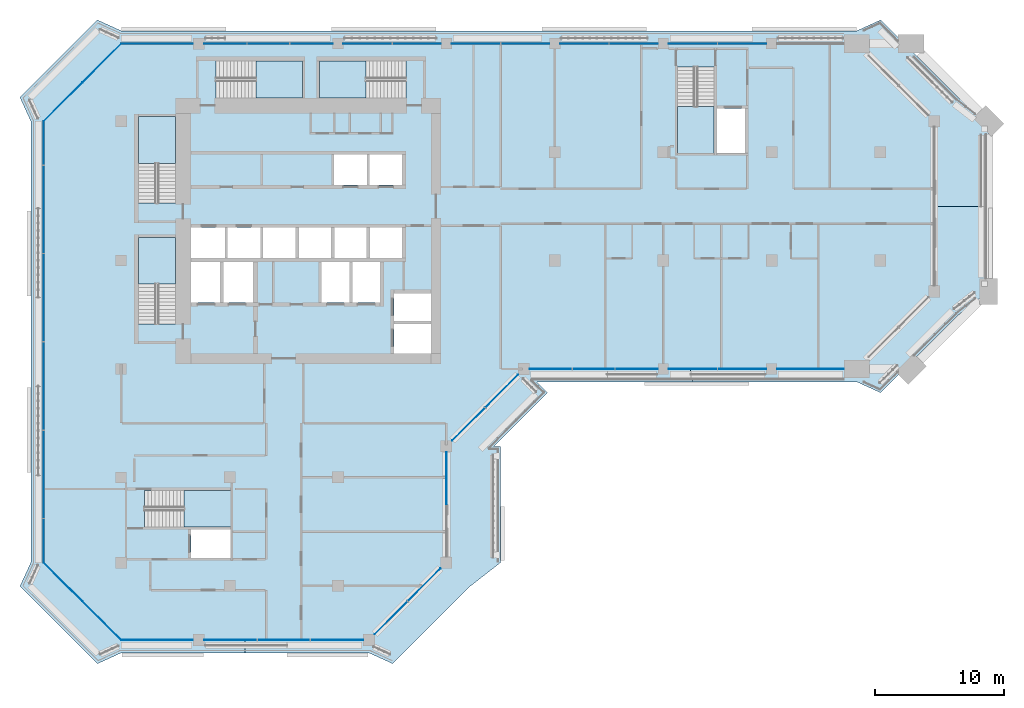
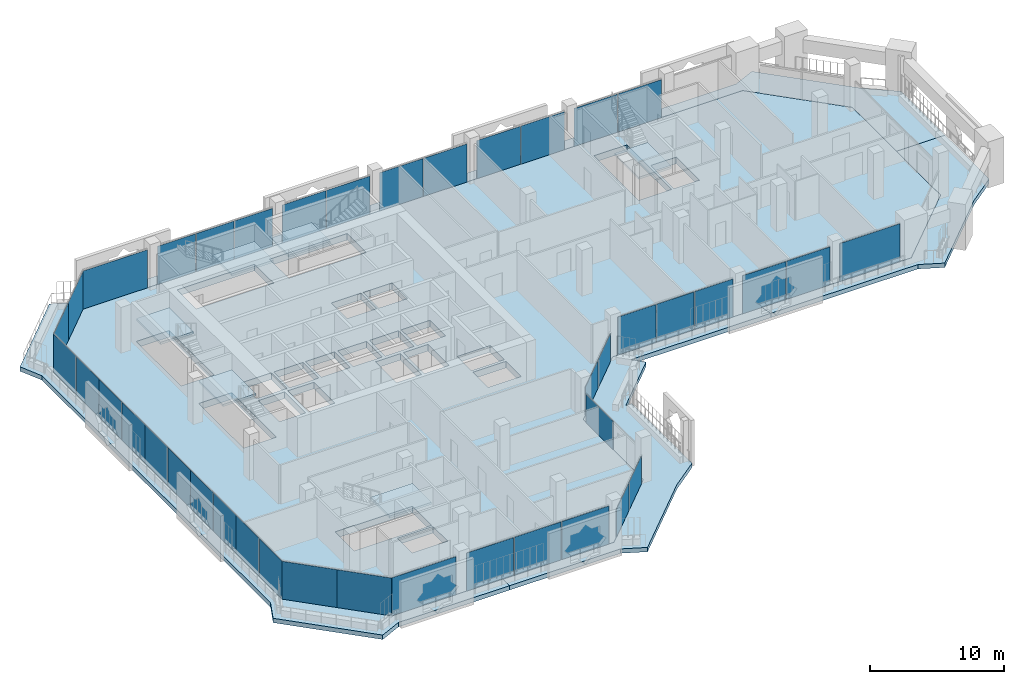
# One storey, part 8 of 21: 41 plates, 10 slabs, 15 elements without a shape of their own.
"""IFC4 building model written with IfcOpenShell, lengths in metres."""

from ifc_helpers import new_model, si_unit, direction, frame, origin, origin_2d, place, context, subcontext, project, spatial, polyline, rectangle, outline, extrude, material, layer, layer_set, type_object, element, aggregate, save


model = new_model("IFC4")

# Units and contexts
model_context = context("Model", 3, precision=1e-05, world=origin(), true_north=direction((0.0, 1.0)))
body_context = subcontext(model_context, "Body", "Model", "MODEL_VIEW")
ifc_project = project(units=[si_unit("LENGTHUNIT", "METRE"), si_unit("AREAUNIT", "SQUARE_METRE"), si_unit("VOLUMEUNIT", "CUBIC_METRE"), si_unit("PLANEANGLEUNIT", "RADIAN"), si_unit("MASSUNIT", "GRAM", prefix="KILO")], contexts=[model_context])

# Site, building, storey
site_placement = place(None, origin())
site = spatial("IfcSite", under=ifc_project, at=site_placement, CompositionType="ELEMENT")
building_placement = place(site_placement, origin())
building = spatial("IfcBuilding", under=site, at=building_placement, Name="Kawkab Arch Medical Tower", CompositionType="ELEMENT")
storey_placement = place(building_placement, frame((0.0, 0.0, 234.800048828125)))
storey = spatial("IfcBuildingStorey", under=building, at=storey_placement, Name="L54", CompositionType="ELEMENT", Elevation=234.800048828125)

# Curtain wall, plates
ifc_material_1 = material(Name="Bronze anodised aluminium curtain wall frame", Category="aluminium")
ifc_layer_1 = layer(ifc_material_1, 0.159912109375)
ifc_layer_set_1 = layer_set([ifc_layer_1], Name="Bronze anodised aluminium curtain wall frame")
curtain_wall_type_1 = type_object("IfcCurtainWallType", Name="CW1 ward curtain wall", PredefinedType="NOTDEFINED", material=ifc_layer_set_1)
placement_1 = place(storey_placement, origin())
curtain_wall_1 = element("IfcCurtainWall", 1, at=placement_1, inside=storey, type_object=curtain_wall_type_1, Name="CW1 Ward curtain wall R01", PredefinedType="NOTDEFINED")
ifc_material_2 = material(Name="Tinted insulating glass, bronze low-e coating", Category="glass")
ifc_layer_2 = layer(ifc_material_2, 0.031982421875)
ifc_layer_set_2 = layer_set([ifc_layer_2], Name="Tinted insulating glass, bronze low-e coating")
plate_type_1 = type_object("IfcPlateType", Name="CW1 glazing unit 32", PredefinedType="CURTAIN_PANEL", material=ifc_layer_set_2)
plate_1_placement = place(storey_placement, frame((-6.0, -7.695068359375, 0.0), z_axis=(0.0, 0.0, 1.0), x_axis=(0.0, -1.0, 0.0)))
plate_1 = element("IfcPlate", 2, at=plate_1_placement, type_object=plate_type_1, Name="CW1 glazing unit 1.1", PredefinedType="CURTAIN_PANEL", context=body_context, shape_type="SweptSolid", body=[
    extrude(rectangle(XDim=3.389892578125, YDim=0.031982421875, at=origin_2d()), origin(), (0.0, 0.0, 1.0), 3.47998046875),
])
plate_2_placement = place(storey_placement, frame((-6.0, -11.14501953125, 0.0), z_axis=(0.0, 0.0, 1.0), x_axis=(0.0, -1.0, 0.0)))
plate_2 = element("IfcPlate", 3, at=plate_2_placement, type_object=plate_type_1, Name="CW1 glazing unit 1.2", PredefinedType="CURTAIN_PANEL", context=body_context, shape_type="SweptSolid", body=[
    extrude(rectangle(XDim=3.389892578125, YDim=0.031982421875, at=origin_2d()), origin(), (0.0, 0.0, 1.0), 3.47998046875),
])
plate_3_placement = place(storey_placement, frame((-6.0, -14.534912109375, 0.0), z_axis=(0.0, 0.0, 1.0), x_axis=(0.0, -1.0, 0.0)))
plate_3 = element("IfcPlate", 4, at=plate_3_placement, type_object=plate_type_1, Name="CW1 glazing unit 2.1", PredefinedType="CURTAIN_PANEL", context=body_context, shape_type="SweptSolid", body=[
    extrude(rectangle(XDim=3.389892578125, YDim=0.031982421875, at=origin_2d()), origin(), (0.0, 0.0, 1.0), 3.47998046875),
])
plate_4_placement = place(storey_placement, frame((-6.0, -17.985107421875, 0.0), z_axis=(0.0, 0.0, 1.0), x_axis=(0.0, -1.0, 0.0)))
plate_4 = element("IfcPlate", 5, at=plate_4_placement, type_object=plate_type_1, Name="CW1 glazing unit 2.2", PredefinedType="CURTAIN_PANEL", context=body_context, shape_type="SweptSolid", body=[
    extrude(rectangle(XDim=3.389892578125, YDim=0.031982421875, at=origin_2d()), origin(), (0.0, 0.0, 1.0), 3.47998046875),
])
plate_5_placement = place(storey_placement, frame((-6.0, -21.375, 0.0), z_axis=(0.0, 0.0, 1.0), x_axis=(0.0, -1.0, 0.0)))
plate_5 = element("IfcPlate", 6, at=plate_5_placement, type_object=plate_type_1, Name="CW1 glazing unit 3.1", PredefinedType="CURTAIN_PANEL", context=body_context, shape_type="SweptSolid", body=[
    extrude(rectangle(XDim=3.389892578125, YDim=0.031982421875, at=origin_2d()), origin(), (0.0, 0.0, 1.0), 3.47998046875),
])
plate_6_placement = place(storey_placement, frame((-6.0, -24.824951171875, 0.0), z_axis=(0.0, 0.0, 1.0), x_axis=(0.0, -1.0, 0.0)))
plate_6 = element("IfcPlate", 7, at=plate_6_placement, type_object=plate_type_1, Name="CW1 glazing unit 3.2", PredefinedType="CURTAIN_PANEL", context=body_context, shape_type="SweptSolid", body=[
    extrude(rectangle(XDim=3.389892578125, YDim=0.031982421875, at=origin_2d()), origin(), (0.0, 0.0, 1.0), 3.47998046875),
])
plate_7_placement = place(storey_placement, frame((-6.0, -28.215087890625, 0.0), z_axis=(0.0, 0.0, 1.0), x_axis=(0.0, -1.0, 0.0)))
plate_7 = element("IfcPlate", 8, at=plate_7_placement, type_object=plate_type_1, Name="CW1 glazing unit 4.1", PredefinedType="CURTAIN_PANEL", context=body_context, shape_type="SweptSolid", body=[
    extrude(rectangle(XDim=3.389892578125, YDim=0.031982421875, at=origin_2d()), origin(), (0.0, 0.0, 1.0), 3.47998046875),
])
plate_8_placement = place(storey_placement, frame((-6.0, -31.6650390625, 0.0), z_axis=(0.0, 0.0, 1.0), x_axis=(0.0, -1.0, 0.0)))
plate_8 = element("IfcPlate", 9, at=plate_8_placement, type_object=plate_type_1, Name="CW1 glazing unit 4.2", PredefinedType="CURTAIN_PANEL", context=body_context, shape_type="SweptSolid", body=[
    extrude(rectangle(XDim=3.389892578125, YDim=0.031982421875, at=origin_2d()), origin(), (0.0, 0.0, 1.0), 3.47998046875),
])
plate_9_placement = place(storey_placement, frame((-6.0, -35.054931640625, 0.0), z_axis=(0.0, 0.0, 1.0), x_axis=(0.0, -1.0, 0.0)))
plate_9 = element("IfcPlate", 10, at=plate_9_placement, type_object=plate_type_1, Name="CW1 glazing unit 5.1", PredefinedType="CURTAIN_PANEL", context=body_context, shape_type="SweptSolid", body=[
    extrude(rectangle(XDim=3.389892578125, YDim=0.031982421875, at=origin_2d()), origin(), (0.0, 0.0, 1.0), 3.47998046875),
])
plate_10_placement = place(storey_placement, frame((-6.0, -38.5048828125, 0.0), z_axis=(0.0, 0.0, 1.0), x_axis=(0.0, -1.0, 0.0)))
plate_10 = element("IfcPlate", 11, at=plate_10_placement, type_object=plate_type_1, Name="CW1 glazing unit 5.2", PredefinedType="CURTAIN_PANEL", context=body_context, shape_type="SweptSolid", body=[
    extrude(rectangle(XDim=3.389892578125, YDim=0.031982421875, at=origin_2d()), origin(), (0.0, 0.0, 1.0), 3.47998046875),
])
aggregate(curtain_wall_1, [plate_1, plate_2, plate_3, plate_4, plate_5, plate_6, plate_7, plate_8, plate_9, plate_10])

curtain_wall_2 = element("IfcCurtainWall", 12, at=placement_1, inside=storey, type_object=curtain_wall_type_1, Name="CW1 Ward curtain wall R03", PredefinedType="NOTDEFINED")
plate_11_placement = place(storey_placement, frame((2.77490234375, -46.199951171875, 0.0), z_axis=(0.0, 0.0, 1.0), x_axis=(1.0, 0.0, 0.0)))
plate_11 = element("IfcPlate", 13, at=plate_11_placement, type_object=plate_type_1, Name="CW1 glazing unit 1.1", PredefinedType="CURTAIN_PANEL", context=body_context, shape_type="SweptSolid", body=[
    extrude(rectangle(XDim=5.550048828125, YDim=0.031982421875, at=origin_2d()), origin(), (0.0, 0.0, 1.0), 3.47998046875),
])
plate_12_placement = place(storey_placement, frame((8.485107421875, -46.199951171875, 0.0), z_axis=(0.0, 0.0, 1.0), x_axis=(1.0, 0.0, 0.0)))
plate_12 = element("IfcPlate", 14, at=plate_12_placement, type_object=plate_type_1, Name="CW1 glazing unit 2.1", PredefinedType="CURTAIN_PANEL", context=body_context, shape_type="SweptSolid", body=[
    extrude(rectangle(XDim=4.070068359375, YDim=0.031982421875, at=origin_2d()), origin(), (0.0, 0.0, 1.0), 3.47998046875),
])
plate_13_placement = place(storey_placement, frame((12.60009765625, -46.199951171875, 0.0), z_axis=(0.0, 0.0, 1.0), x_axis=(1.0, 0.0, 0.0)))
plate_13 = element("IfcPlate", 15, at=plate_13_placement, type_object=plate_type_1, Name="CW1 glazing unit 2.2", PredefinedType="CURTAIN_PANEL", context=body_context, shape_type="SweptSolid", body=[
    extrude(rectangle(XDim=4.0400390625, YDim=0.031982421875, at=origin_2d()), origin(), (0.0, 0.0, 1.0), 3.47998046875),
])
plate_14_placement = place(storey_placement, frame((16.715087890625, -46.199951171875, 0.0), z_axis=(0.0, 0.0, 1.0), x_axis=(1.0, 0.0, 0.0)))
plate_14 = element("IfcPlate", 16, at=plate_14_placement, type_object=plate_type_1, Name="CW1 glazing unit 2.3", PredefinedType="CURTAIN_PANEL", context=body_context, shape_type="SweptSolid", body=[
    extrude(rectangle(XDim=4.070068359375, YDim=0.031982421875, at=origin_2d()), origin(), (0.0, 0.0, 1.0), 3.47998046875),
])
aggregate(curtain_wall_2, [plate_11, plate_12, plate_13, plate_14])

# Curtain wall, plate
curtain_wall_3 = element("IfcCurtainWall", 17, at=placement_1, inside=storey, type_object=curtain_wall_type_1, Name="CW1 Ward curtain wall R05", PredefinedType="NOTDEFINED")
plate_15_placement = place(storey_placement, frame((25.199951171875, -33.675048828125, 0.0), z_axis=(0.0, 0.0, 1.0), x_axis=(0.0, 1.0, 0.0)))
plate_15 = element("IfcPlate", 18, at=plate_15_placement, type_object=plate_type_1, Name="CW1 glazing unit 1.2", PredefinedType="CURTAIN_PANEL", context=body_context, shape_type="SweptSolid", body=[
    extrude(rectangle(XDim=4.050048828125, YDim=0.031982421875, at=origin_2d()), origin(), (0.0, 0.0, 1.0), 2.580078125),
])
aggregate(curtain_wall_3, [plate_15])

# Curtain wall, plates
curtain_wall_4 = element("IfcCurtainWall", 19, at=placement_1, inside=storey, type_object=curtain_wall_type_1, Name="CW1 Ward curtain wall R07", PredefinedType="NOTDEFINED")
plate_16_placement = place(storey_placement, frame((33.2890625, -25.199951171875, 0.0), z_axis=(0.0, 0.0, 1.0), x_axis=(1.0, 0.0, 0.0)))
plate_16 = element("IfcPlate", 20, at=plate_16_placement, type_object=plate_type_1, Name="CW1 glazing unit 1.1", PredefinedType="CURTAIN_PANEL", context=body_context, shape_type="SweptSolid", body=[
    extrude(rectangle(XDim=3.2783203125, YDim=0.031982421875, at=origin_2d()), origin(), (0.0, 0.0, 1.0), 3.47998046875),
])
plate_17_placement = place(storey_placement, frame((36.612548828125, -25.199951171875, 0.0), z_axis=(0.0, 0.0, 1.0), x_axis=(1.0, 0.0, 0.0)))
plate_17 = element("IfcPlate", 21, at=plate_17_placement, type_object=plate_type_1, Name="CW1 glazing unit 1.2", PredefinedType="CURTAIN_PANEL", context=body_context, shape_type="SweptSolid", body=[
    extrude(rectangle(XDim=3.248291015625, YDim=0.031982421875, at=origin_2d()), origin(), (0.0, 0.0, 1.0), 3.47998046875),
])
plate_18_placement = place(storey_placement, frame((39.935791015625, -25.199951171875, 0.0), z_axis=(0.0, 0.0, 1.0), x_axis=(1.0, 0.0, 0.0)))
plate_18 = element("IfcPlate", 22, at=plate_18_placement, type_object=plate_type_1, Name="CW1 glazing unit 1.3", PredefinedType="CURTAIN_PANEL", context=body_context, shape_type="SweptSolid", body=[
    extrude(rectangle(XDim=3.2783203125, YDim=0.031982421875, at=origin_2d()), origin(), (0.0, 0.0, 1.0), 3.47998046875),
])
plate_19_placement = place(storey_placement, frame((44.297607421875, -25.199951171875, 0.0), z_axis=(0.0, 0.0, 1.0), x_axis=(1.0, 0.0, 0.0)))
plate_19 = element("IfcPlate", 23, at=plate_19_placement, type_object=plate_type_1, Name="CW1 glazing unit 2.1", PredefinedType="CURTAIN_PANEL", context=body_context, shape_type="SweptSolid", body=[
    extrude(rectangle(XDim=3.7451171875, YDim=0.031982421875, at=origin_2d()), origin(), (0.0, 0.0, 1.0), 3.47998046875),
])
plate_20_placement = place(storey_placement, frame((48.1025390625, -25.199951171875, 0.0), z_axis=(0.0, 0.0, 1.0), x_axis=(1.0, 0.0, 0.0)))
plate_20 = element("IfcPlate", 24, at=plate_20_placement, type_object=plate_type_1, Name="CW1 glazing unit 2.2", PredefinedType="CURTAIN_PANEL", context=body_context, shape_type="SweptSolid", body=[
    extrude(rectangle(XDim=3.7451171875, YDim=0.031982421875, at=origin_2d()), origin(), (0.0, 0.0, 1.0), 3.47998046875),
])
plate_21_placement = place(storey_placement, frame((53.41259765625, -25.199951171875, 0.0), z_axis=(0.0, 0.0, 1.0), x_axis=(1.0, 0.0, 0.0)))
plate_21 = element("IfcPlate", 25, at=plate_21_placement, type_object=plate_type_1, Name="CW1 glazing unit 3.1", PredefinedType="CURTAIN_PANEL", context=body_context, shape_type="SweptSolid", body=[
    extrude(rectangle(XDim=5.175048828125, YDim=0.031982421875, at=origin_2d()), origin(), (0.0, 0.0, 1.0), 3.47998046875),
])
aggregate(curtain_wall_4, [plate_16, plate_17, plate_18, plate_19, plate_20, plate_21])

curtain_wall_5 = element("IfcCurtainWall", 26, at=placement_1, inside=storey, type_object=curtain_wall_type_1, Name="CW1 Ward curtain wall R11", PredefinedType="NOTDEFINED")
plate_22_placement = place(storey_placement, frame((48.1025390625, 0.0, 0.0), z_axis=(0.0, 0.0, 1.0), x_axis=(-1.0, 0.0, 0.0)))
plate_22 = element("IfcPlate", 27, at=plate_22_placement, type_object=plate_type_1, Name="CW1 glazing unit 2.1", PredefinedType="CURTAIN_PANEL", context=body_context, shape_type="SweptSolid", body=[
    extrude(rectangle(XDim=3.7451171875, YDim=0.031982421875, at=origin_2d()), origin(), (0.0, 0.0, 1.0), 3.47998046875),
])
plate_23_placement = place(storey_placement, frame((44.297607421875, 0.0, 0.0), z_axis=(0.0, 0.0, 1.0), x_axis=(-1.0, 0.0, 0.0)))
plate_23 = element("IfcPlate", 28, at=plate_23_placement, type_object=plate_type_1, Name="CW1 glazing unit 2.2", PredefinedType="CURTAIN_PANEL", context=body_context, shape_type="SweptSolid", body=[
    extrude(rectangle(XDim=3.7451171875, YDim=0.031982421875, at=origin_2d()), origin(), (0.0, 0.0, 1.0), 3.47998046875),
])
plate_24_placement = place(storey_placement, frame((39.702392578125, 0.0, 0.0), z_axis=(0.0, 0.0, 1.0), x_axis=(-1.0, 0.0, 0.0)))
plate_24 = element("IfcPlate", 29, at=plate_24_placement, type_object=plate_type_1, Name="CW1 glazing unit 3.1", PredefinedType="CURTAIN_PANEL", context=body_context, shape_type="SweptSolid", body=[
    extrude(rectangle(XDim=3.7451171875, YDim=0.031982421875, at=origin_2d()), origin(), (0.0, 0.0, 1.0), 3.47998046875),
])
plate_25_placement = place(storey_placement, frame((35.8974609375, 0.0, 0.0), z_axis=(0.0, 0.0, 1.0), x_axis=(-1.0, 0.0, 0.0)))
plate_25 = element("IfcPlate", 30, at=plate_25_placement, type_object=plate_type_1, Name="CW1 glazing unit 3.2", PredefinedType="CURTAIN_PANEL", context=body_context, shape_type="SweptSolid", body=[
    extrude(rectangle(XDim=3.7451171875, YDim=0.031982421875, at=origin_2d()), origin(), (0.0, 0.0, 1.0), 3.47998046875),
])
plate_26_placement = place(storey_placement, frame((31.302490234375, 0.0, 0.0), z_axis=(0.0, 0.0, 1.0), x_axis=(-1.0, 0.0, 0.0)))
plate_26 = element("IfcPlate", 31, at=plate_26_placement, type_object=plate_type_1, Name="CW1 glazing unit 4.1", PredefinedType="CURTAIN_PANEL", context=body_context, shape_type="SweptSolid", body=[
    extrude(rectangle(XDim=3.7451171875, YDim=0.031982421875, at=origin_2d()), origin(), (0.0, 0.0, 1.0), 3.47998046875),
])
plate_27_placement = place(storey_placement, frame((27.49755859375, 0.0, 0.0), z_axis=(0.0, 0.0, 1.0), x_axis=(-1.0, 0.0, 0.0)))
plate_27 = element("IfcPlate", 32, at=plate_27_placement, type_object=plate_type_1, Name="CW1 glazing unit 4.2", PredefinedType="CURTAIN_PANEL", context=body_context, shape_type="SweptSolid", body=[
    extrude(rectangle(XDim=3.7451171875, YDim=0.031982421875, at=origin_2d()), origin(), (0.0, 0.0, 1.0), 3.47998046875),
])
plate_28_placement = place(storey_placement, frame((22.902587890625, 0.0, 0.0), z_axis=(0.0, 0.0, 1.0), x_axis=(-1.0, 0.0, 0.0)))
plate_28 = element("IfcPlate", 33, at=plate_28_placement, type_object=plate_type_1, Name="CW1 glazing unit 5.1", PredefinedType="CURTAIN_PANEL", context=body_context, shape_type="SweptSolid", body=[
    extrude(rectangle(XDim=3.7451171875, YDim=0.031982421875, at=origin_2d()), origin(), (0.0, 0.0, 1.0), 3.47998046875),
])
plate_29_placement = place(storey_placement, frame((19.097412109375, 0.0, 0.0), z_axis=(0.0, 0.0, 1.0), x_axis=(-1.0, 0.0, 0.0)))
plate_29 = element("IfcPlate", 34, at=plate_29_placement, type_object=plate_type_1, Name="CW1 glazing unit 5.2", PredefinedType="CURTAIN_PANEL", context=body_context, shape_type="SweptSolid", body=[
    extrude(rectangle(XDim=3.7451171875, YDim=0.031982421875, at=origin_2d()), origin(), (0.0, 0.0, 1.0), 3.47998046875),
])
plate_30_placement = place(storey_placement, frame((14.73583984375, 0.0, 0.0), z_axis=(0.0, 0.0, 1.0), x_axis=(-1.0, 0.0, 0.0)))
plate_30 = element("IfcPlate", 35, at=plate_30_placement, type_object=plate_type_1, Name="CW1 glazing unit 6.1", PredefinedType="CURTAIN_PANEL", context=body_context, shape_type="SweptSolid", body=[
    extrude(rectangle(XDim=3.2783203125, YDim=0.031982421875, at=origin_2d()), origin(), (0.0, 0.0, 1.0), 3.47998046875),
])
plate_31_placement = place(storey_placement, frame((11.41259765625, 0.0, 0.0), z_axis=(0.0, 0.0, 1.0), x_axis=(-1.0, 0.0, 0.0)))
plate_31 = element("IfcPlate", 36, at=plate_31_placement, type_object=plate_type_1, Name="CW1 glazing unit 6.2", PredefinedType="CURTAIN_PANEL", context=body_context, shape_type="SweptSolid", body=[
    extrude(rectangle(XDim=3.248291015625, YDim=0.031982421875, at=origin_2d()), origin(), (0.0, 0.0, 1.0), 3.47998046875),
])
plate_32_placement = place(storey_placement, frame((8.089111328125, 0.0, 0.0), z_axis=(0.0, 0.0, 1.0), x_axis=(-1.0, 0.0, 0.0)))
plate_32 = element("IfcPlate", 37, at=plate_32_placement, type_object=plate_type_1, Name="CW1 glazing unit 6.3", PredefinedType="CURTAIN_PANEL", context=body_context, shape_type="SweptSolid", body=[
    extrude(rectangle(XDim=3.2783203125, YDim=0.031982421875, at=origin_2d()), origin(), (0.0, 0.0, 1.0), 3.47998046875),
])
plate_33_placement = place(storey_placement, frame((2.77490234375, 0.0, 0.0), z_axis=(0.0, 0.0, 1.0), x_axis=(-1.0, 0.0, 0.0)))
plate_33 = element("IfcPlate", 38, at=plate_33_placement, type_object=plate_type_1, Name="CW1 glazing unit 7.1", PredefinedType="CURTAIN_PANEL", context=body_context, shape_type="SweptSolid", body=[
    extrude(rectangle(XDim=5.550048828125, YDim=0.031982421875, at=origin_2d()), origin(), (0.0, 0.0, 1.0), 3.47998046875),
])
aggregate(curtain_wall_5, [plate_22, plate_23, plate_24, plate_25, plate_26, plate_27, plate_28, plate_29, plate_30, plate_31, plate_32, plate_33])

ifc_material_3 = material(Name="Bronze anodised aluminium curtain wall frame", Category="aluminium")
ifc_layer_3 = layer(ifc_material_3, 0.159912109375)
ifc_layer_set_3 = layer_set([ifc_layer_3], Name="Bronze anodised aluminium curtain wall frame")
curtain_wall_type_2 = type_object("IfcCurtainWallType", Name="CW2 chamfer curtain wall", PredefinedType="NOTDEFINED", material=ifc_layer_set_3)
curtain_wall_6 = element("IfcCurtainWall", 39, at=placement_1, inside=storey, type_object=curtain_wall_type_2, Name="CW2 Chamfer curtain wall R02", PredefinedType="NOTDEFINED")
ifc_material_4 = material(Name="Tinted insulating glass, bronze low-e coating", Category="glass")
ifc_layer_4 = layer(ifc_material_4, 0.031982421875)
ifc_layer_set_4 = layer_set([ifc_layer_4], Name="Tinted insulating glass, bronze low-e coating")
plate_type_2 = type_object("IfcPlateType", Name="CW2 glazing unit 32", PredefinedType="CURTAIN_PANEL", material=ifc_layer_set_4)
plate_34_placement = place(storey_placement, frame((-4.5, -41.699951171875, 0.0), z_axis=(0.0, 0.0, 1.0), x_axis=(0.707106781187, -0.707106781187, 0.0)))
plate_34 = element("IfcPlate", 40, at=plate_34_placement, type_object=plate_type_2, Name="CW2 glazing unit 1.1", PredefinedType="CURTAIN_PANEL", context=body_context, shape_type="SweptSolid", body=[
    extrude(rectangle(XDim=4.24267578125, YDim=0.031982421875, at=origin_2d()), origin(), (0.0, 0.0, 1.0), 3.4599609375),
])
plate_35_placement = place(storey_placement, frame((-1.5, -44.699951171875, 0.0), z_axis=(0.0, 0.0, 1.0), x_axis=(0.707106781187, -0.707106781187, 0.0)))
plate_35 = element("IfcPlate", 41, at=plate_35_placement, type_object=plate_type_2, Name="CW2 glazing unit 2.1", PredefinedType="CURTAIN_PANEL", context=body_context, shape_type="SweptSolid", body=[
    extrude(rectangle(XDim=4.24267578125, YDim=0.031982421875, at=origin_2d()), origin(), (0.0, 0.0, 1.0), 3.4599609375),
])
aggregate(curtain_wall_6, [plate_34, plate_35])

curtain_wall_7 = element("IfcCurtainWall", 42, at=placement_1, inside=storey, type_object=curtain_wall_type_2, Name="CW2 Chamfer curtain wall R04", PredefinedType="NOTDEFINED")
plate_36_placement = place(storey_placement, frame((20.914306640625, -44.485595703125, 0.0), z_axis=(0.0, 0.0, 1.0), x_axis=(0.707106781187, 0.707106781187, 0.0)))
plate_36 = element("IfcPlate", 43, at=plate_36_placement, type_object=plate_type_2, Name="CW2 glazing unit 1.1", PredefinedType="CURTAIN_PANEL", context=body_context, shape_type="SweptSolid", body=[
    extrude(rectangle(XDim=3.576171875, YDim=0.031982421875, at=origin_2d()), origin(), (0.0, 0.0, 1.0), 2.56005859375),
])
plate_37_placement = place(storey_placement, frame((23.485595703125, -41.914306640625, 0.0), z_axis=(0.0, 0.0, 1.0), x_axis=(0.707106781187, 0.707106781187, 0.0)))
plate_37 = element("IfcPlate", 44, at=plate_37_placement, type_object=plate_type_2, Name="CW2 glazing unit 1.2", PredefinedType="CURTAIN_PANEL", context=body_context, shape_type="SweptSolid", body=[
    extrude(rectangle(XDim=3.576171875, YDim=0.031982421875, at=origin_2d()), origin(), (0.0, 0.0, 1.0), 2.56005859375),
])
aggregate(curtain_wall_7, [plate_36, plate_37])

curtain_wall_8 = element("IfcCurtainWall", 45, at=placement_1, inside=storey, type_object=curtain_wall_type_2, Name="CW2 Chamfer curtain wall R06", PredefinedType="NOTDEFINED")
plate_38_placement = place(storey_placement, frame((26.914306640625, -29.485595703125, 0.0), z_axis=(0.0, 0.0, 1.0), x_axis=(0.707106781187, 0.707106781187, 0.0)))
plate_38 = element("IfcPlate", 46, at=plate_38_placement, type_object=plate_type_2, Name="CW2 glazing unit 1.1", PredefinedType="CURTAIN_PANEL", context=body_context, shape_type="SweptSolid", body=[
    extrude(rectangle(XDim=3.576171875, YDim=0.031982421875, at=origin_2d()), origin(), (0.0, 0.0, 1.0), 2.56005859375),
])
plate_39_placement = place(storey_placement, frame((29.485595703125, -26.914306640625, 0.0), z_axis=(0.0, 0.0, 1.0), x_axis=(0.707106781187, 0.707106781187, 0.0)))
plate_39 = element("IfcPlate", 47, at=plate_39_placement, type_object=plate_type_2, Name="CW2 glazing unit 1.2", PredefinedType="CURTAIN_PANEL", context=body_context, shape_type="SweptSolid", body=[
    extrude(rectangle(XDim=3.576171875, YDim=0.031982421875, at=origin_2d()), origin(), (0.0, 0.0, 1.0), 2.56005859375),
])
aggregate(curtain_wall_8, [plate_38, plate_39])

curtain_wall_9 = element("IfcCurtainWall", 48, at=placement_1, inside=storey, type_object=curtain_wall_type_2, Name="CW2 Chamfer curtain wall R12", PredefinedType="NOTDEFINED")
plate_40_placement = place(storey_placement, frame((-1.5, -1.5, 0.0), z_axis=(0.0, 0.0, 1.0), x_axis=(-0.707106781187, -0.707106781187, 0.0)))
plate_40 = element("IfcPlate", 49, at=plate_40_placement, type_object=plate_type_2, Name="CW2 glazing unit 1.1", PredefinedType="CURTAIN_PANEL", context=body_context, shape_type="SweptSolid", body=[
    extrude(rectangle(XDim=4.24267578125, YDim=0.031982421875, at=origin_2d()), origin(), (0.0, 0.0, 1.0), 3.4599609375),
])
plate_41_placement = place(storey_placement, frame((-4.5, -4.5, 0.0), z_axis=(0.0, 0.0, 1.0), x_axis=(-0.707106781187, -0.707106781187, 0.0)))
plate_41 = element("IfcPlate", 50, at=plate_41_placement, type_object=plate_type_2, Name="CW2 glazing unit 2.1", PredefinedType="CURTAIN_PANEL", context=body_context, shape_type="SweptSolid", body=[
    extrude(rectangle(XDim=4.24267578125, YDim=0.031982421875, at=origin_2d()), origin(), (0.0, 0.0, 1.0), 3.4599609375),
])
aggregate(curtain_wall_9, [plate_40, plate_41])

# Stair, slab
ifc_material_5 = material(Name="Concrete C40/50", Category="concrete")
stair_type = type_object("IfcStairType", Name="Exit stair 1350", PredefinedType="HALF_TURN_STAIR", material=ifc_material_5)
stair_1 = element("IfcStair", 51, at=placement_1, inside=storey, type_object=stair_type, Name="L54 Exit stair ST1", PredefinedType="HALF_TURN_STAIR")
ifc_material_6 = material(Name="Concrete C40/50", Category="concrete")
ifc_layer_5 = layer(ifc_material_6, 0.199951171875)
ifc_layer_set_5 = layer_set([ifc_layer_5], Name="Concrete C40/50")
slab_type_1 = type_object("IfcSlabType", Name="Exit stair landing 200", PredefinedType="LANDING", material=ifc_layer_set_5)
placement_2 = place(storey_placement, frame((0.0, 0.0, 1.89990234375)))
slab_1 = element("IfcSlab", 52, at=placement_2, type_object=slab_type_1, Name="ST1 landing 1", PredefinedType="LANDING", context=body_context, shape_type="SweptSolid", body=[
    extrude(outline(polyline([(4.199951171875, -9.27001953125), (4.199951171875, -5.64990234375), (1.35009765625, -5.64990234375), (1.35009765625, -9.27001953125), (4.199951171875, -9.27001953125)])), origin(), (0.0, 0.0, 1.0), 0.199951171875),
])
aggregate(stair_1, [slab_1])

stair_2 = element("IfcStair", 53, at=placement_1, inside=storey, type_object=stair_type, Name="L54 Exit stair ST2", PredefinedType="HALF_TURN_STAIR")
slab_2 = element("IfcSlab", 54, at=placement_2, type_object=slab_type_1, Name="ST2 landing 1", PredefinedType="LANDING", context=body_context, shape_type="SweptSolid", body=[
    extrude(outline(polyline([(4.199951171875, -18.6201171875), (4.199951171875, -15.0), (1.35009765625, -15.0), (1.35009765625, -18.6201171875), (4.199951171875, -18.6201171875)])), origin(), (0.0, 0.0, 1.0), 0.199951171875),
])
aggregate(stair_2, [slab_2])

stair_3 = element("IfcStair", 55, at=placement_1, inside=storey, type_object=stair_type, Name="L54 Exit stair ST3", PredefinedType="HALF_TURN_STAIR")
slab_3 = element("IfcSlab", 56, at=placement_2, type_object=slab_type_1, Name="ST3 landing 1", PredefinedType="LANDING", context=body_context, shape_type="SweptSolid", body=[
    extrude(outline(polyline([(10.429931640625, -4.199951171875), (14.050048828125, -4.199951171875), (14.050048828125, -1.35009765625), (10.429931640625, -1.35009765625), (10.429931640625, -4.199951171875)])), origin(), (0.0, 0.0, 1.0), 0.199951171875),
])
aggregate(stair_3, [slab_3])

stair_4 = element("IfcStair", 57, at=placement_1, inside=storey, type_object=stair_type, Name="L54 Exit stair ST4", PredefinedType="HALF_TURN_STAIR")
slab_4 = element("IfcSlab", 58, at=placement_2, type_object=slab_type_1, Name="ST4 landing 1", PredefinedType="LANDING", context=body_context, shape_type="SweptSolid", body=[
    extrude(outline(polyline([(18.969970703125, -1.35009765625), (15.35009765625, -1.35009765625), (15.35009765625, -4.199951171875), (18.969970703125, -4.199951171875), (18.969970703125, -1.35009765625)])), origin(), (0.0, 0.0, 1.0), 0.199951171875),
])
aggregate(stair_4, [slab_4])

stair_5 = element("IfcStair", 59, at=placement_1, inside=storey, type_object=stair_type, Name="L54 Exit stair ST5", PredefinedType="HALF_TURN_STAIR")
slab_5 = element("IfcSlab", 60, at=placement_2, type_object=slab_type_1, Name="ST5 landing 1", PredefinedType="LANDING", context=body_context, shape_type="SweptSolid", body=[
    extrude(outline(polyline([(43.10009765625, -4.8798828125), (43.10009765625, -8.5), (45.949951171875, -8.5), (45.949951171875, -4.8798828125), (43.10009765625, -4.8798828125)])), origin(), (0.0, 0.0, 1.0), 0.199951171875),
])
aggregate(stair_5, [slab_5])

stair_6 = element("IfcStair", 61, at=placement_1, inside=storey, type_object=stair_type, Name="L54 Exit stair ST6", PredefinedType="HALF_TURN_STAIR")
slab_6 = element("IfcSlab", 62, at=placement_2, type_object=slab_type_1, Name="ST6 landing 1", PredefinedType="LANDING", context=body_context, shape_type="SweptSolid", body=[
    extrude(outline(polyline([(4.8798828125, -37.449951171875), (8.5, -37.449951171875), (8.5, -34.60009765625), (4.8798828125, -34.60009765625), (4.8798828125, -37.449951171875)])), origin(), (0.0, 0.0, 1.0), 0.199951171875),
])
aggregate(stair_6, [slab_6])

# Slabs
ifc_material_7 = material(Name="Concrete C45/55", Category="concrete")
ifc_layer_6 = layer(ifc_material_7, 0.60009765625)
ifc_layer_set_6 = layer_set([ifc_layer_6], Name="Concrete C45/55")
slab_type_2 = type_object("IfcSlabType", Name="Flat plate 600 C45/55", PredefinedType="FLOOR", material=ifc_layer_set_6)
slab_7_placement = place(storey_placement, frame((0.0, 0.0, -0.60009765625)))
element("IfcSlab", 63, at=slab_7_placement, inside=storey, type_object=slab_type_2, Name="Floor slab L54", PredefinedType="FLOOR", context=body_context, shape_type="SweptSolid", body=[
    extrude(outline(polyline([(0.0, 0.0), (57.0, 0.0), (63.0, -6.0), (63.0, -19.199951171875), (57.0, -25.199951171875), (31.199951171875, -25.199951171875), (25.199951171875, -31.199951171875), (25.199951171875, -40.199951171875), (19.199951171875, -46.199951171875), (0.0, -46.199951171875), (-6.0, -40.199951171875), (-6.0, -6.0), (0.0, 0.0)]), holes=[polyline([(5.425048828125, -37.64990234375), (5.425048828125, -39.85009765625), (8.5, -39.85009765625), (8.5, -37.64990234375), (5.425048828125, -37.64990234375)]), polyline([(8.5, -37.449951171875), (8.5, -34.60009765625), (1.800048828125, -34.60009765625), (1.800048828125, -37.449951171875), (8.5, -37.449951171875)]), polyline([(5.39990234375, -20.050048828125), (7.675048828125, -20.050048828125), (7.675048828125, -16.89990234375), (5.39990234375, -16.89990234375), (5.39990234375, -20.050048828125)]), polyline([(10.199951171875, -20.050048828125), (10.199951171875, -16.89990234375), (7.925048828125, -16.89990234375), (7.925048828125, -20.050048828125), (10.199951171875, -20.050048828125)]), polyline([(4.199951171875, -21.699951171875), (4.199951171875, -15.0), (1.35009765625, -15.0), (1.35009765625, -21.699951171875), (4.199951171875, -21.699951171875)]), polyline([(5.39990234375, -16.60009765625), (8.050048828125, -16.60009765625), (8.050048828125, -14.25), (5.39990234375, -14.25), (5.39990234375, -16.60009765625)]), polyline([(8.25, -16.60009765625), (10.800048828125, -16.60009765625), (10.800048828125, -14.25), (8.25, -14.25), (8.25, -16.60009765625)]), polyline([(11.0, -14.25), (11.0, -16.60009765625), (13.52490234375, -16.60009765625), (13.52490234375, -14.25), (11.0, -14.25)]), polyline([(13.77490234375, -16.60009765625), (16.27490234375, -16.60009765625), (16.27490234375, -14.25), (13.77490234375, -14.25), (13.77490234375, -16.60009765625)]), polyline([(4.199951171875, -12.35009765625), (4.199951171875, -5.64990234375), (1.35009765625, -5.64990234375), (1.35009765625, -12.35009765625), (4.199951171875, -12.35009765625)]), polyline([(7.35009765625, -4.199951171875), (14.050048828125, -4.199951171875), (14.050048828125, -1.35009765625), (7.35009765625, -1.35009765625), (7.35009765625, -4.199951171875)]), polyline([(24.0, -21.72509765625), (21.14990234375, -21.72509765625), (21.14990234375, -24.0), (24.0, -24.0), (24.0, -21.72509765625)]), polyline([(24.0, -19.35009765625), (21.14990234375, -19.35009765625), (21.14990234375, -21.47509765625), (24.0, -21.47509765625), (24.0, -19.35009765625)]), polyline([(17.675048828125, -16.89990234375), (15.52490234375, -16.89990234375), (15.52490234375, -20.050048828125), (17.675048828125, -20.050048828125), (17.675048828125, -16.89990234375)]), polyline([(20.050048828125, -20.050048828125), (20.050048828125, -16.89990234375), (17.925048828125, -16.89990234375), (17.925048828125, -20.050048828125), (20.050048828125, -20.050048828125)]), polyline([(19.02490234375, -16.60009765625), (19.02490234375, -14.25), (16.52490234375, -14.25), (16.52490234375, -16.60009765625), (19.02490234375, -16.60009765625)]), polyline([(21.75, -16.60009765625), (21.75, -14.25), (19.27490234375, -14.25), (19.27490234375, -16.60009765625), (21.75, -16.60009765625)]), polyline([(19.050048828125, -8.60009765625), (16.5, -8.60009765625), (16.5, -10.949951171875), (19.050048828125, -10.949951171875), (19.050048828125, -8.60009765625)]), polyline([(21.75, -10.949951171875), (21.75, -8.60009765625), (19.25, -8.60009765625), (19.25, -10.949951171875), (21.75, -10.949951171875)]), polyline([(46.14990234375, -8.5), (48.35009765625, -8.5), (48.35009765625, -5.02490234375), (46.14990234375, -5.02490234375), (46.14990234375, -8.5)]), polyline([(43.10009765625, -1.800048828125), (43.10009765625, -8.5), (45.949951171875, -8.5), (45.949951171875, -1.800048828125), (43.10009765625, -1.800048828125)]), polyline([(22.050048828125, -1.35009765625), (15.35009765625, -1.35009765625), (15.35009765625, -4.199951171875), (22.050048828125, -4.199951171875), (22.050048828125, -1.35009765625)])]), origin(), (0.0, 0.0, 1.0), 0.60009765625),
])
ifc_material_8 = material(Name="Concrete C40/50", Category="concrete")
ifc_layer_7 = layer(ifc_material_8, 0.39990234375)
ifc_layer_set_7 = layer_set([ifc_layer_7], Name="Concrete C40/50")
slab_type_3 = type_object("IfcSlabType", Name="Loggia slab 400", PredefinedType="FLOOR", material=ifc_layer_set_7)
placement_3 = place(storey_placement, frame((0.0, 0.0, -0.400146484375)))
element("IfcSlab", 64, at=placement_3, inside=storey, type_object=slab_type_3, Name="Loggia slab L54.1", PredefinedType="FLOOR", context=body_context, shape_type="SweptSolid", body=[
    extrude(outline(polyline([(9.60009765625, -46.200927734375), (19.199951171875, -46.200927734375), (19.199951171875, -46.199951171875), (25.199951171875, -40.199951171875), (25.199951171875, -31.199951171875), (31.199951171875, -25.199951171875), (44.10009765625, -25.199951171875), (44.2880859375, -26.199951171875), (32.198974609375, -26.199951171875), (33.037109375, -27.0380859375), (28.8759765625, -31.199951171875), (29.39990234375, -31.199951171875), (29.39990234375, -40.199951171875), (27.0380859375, -42.0380859375), (21.0380859375, -48.0380859375), (19.199951171875, -47.199951171875), (9.60009765625, -47.199951171875), (9.60009765625, -46.200927734375)])), origin(), (0.0, 0.0, 1.0), 0.400146484375),
])
element("IfcSlab", 65, at=placement_3, inside=storey, type_object=slab_type_3, Name="Loggia slab L54.2", PredefinedType="FLOOR", context=body_context, shape_type="SweptSolid", body=[
    extrude(outline(polyline([(64.837890625, -21.0380859375), (58.837890625, -27.0380859375), (57.0, -26.199951171875), (44.2890625, -26.199951171875), (44.10009765625, -25.199951171875), (57.0, -25.199951171875), (63.0, -19.199951171875), (63.0009765625, -19.199951171875), (63.0009765625, -12.60009765625), (67.199951171875, -12.60009765625), (67.199951171875, -19.199951171875), (64.837890625, -21.0380859375)])), origin(), (0.0, 0.0, 1.0), 0.400146484375),
])
element("IfcSlab", 66, at=placement_3, inside=storey, type_object=slab_type_3, Name="Loggia slab L54.4", PredefinedType="FLOOR", context=body_context, shape_type="SweptSolid", body=[
    extrude(outline(polyline([(-7.837890625, -42.037109375), (-7.0, -40.199951171875), (-7.0, -6.0), (-7.837890625, -4.1630859375), (-1.8369140625, 1.837890625), (0.0, 1.0), (57.0, 1.0), (58.8369140625, 1.837890625), (64.837890625, -4.162109375), (67.198974609375, -5.9990234375), (67.198974609375, -6.0009765625), (67.199951171875, -6.0009765625), (67.199951171875, -12.59912109375), (67.198974609375, -12.59912109375), (67.198974609375, -12.60009765625), (63.001953125, -12.60009765625), (63.001953125, -12.59912109375), (63.0009765625, -12.59912109375), (63.0009765625, -6.0), (57.0, 0.0009765625), (0.0, 0.0009765625), (-6.0, -6.0), (-6.0, -40.199951171875), (0.0, -46.200927734375), (9.59912109375, -46.200927734375), (9.59912109375, -46.201904296875), (9.60009765625, -46.201904296875), (9.60009765625, -47.198974609375), (9.59912109375, -47.198974609375), (9.59912109375, -47.199951171875), (0.0, -47.199951171875), (-1.8369140625, -48.0380859375), (-7.837890625, -42.037109375)])), origin(), (0.0, 0.0, 1.0), 0.400146484375),
])

save(model, "model.ifc")
